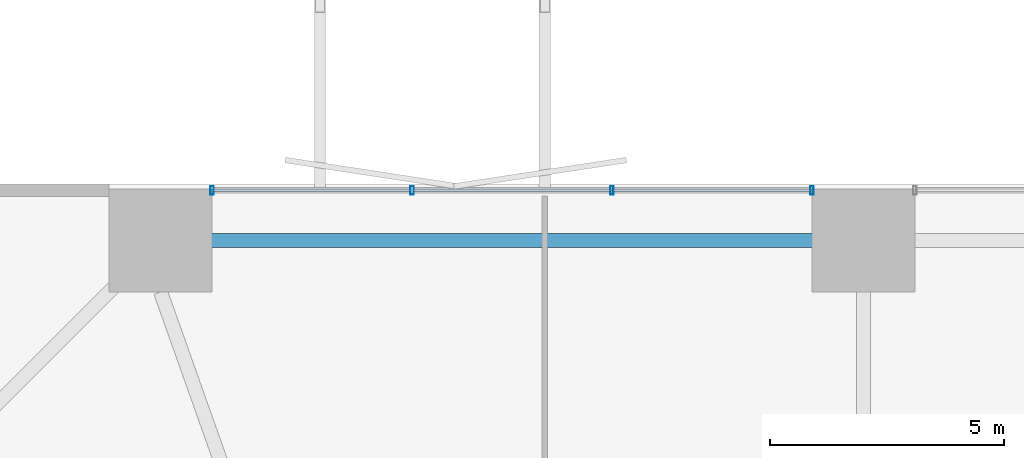
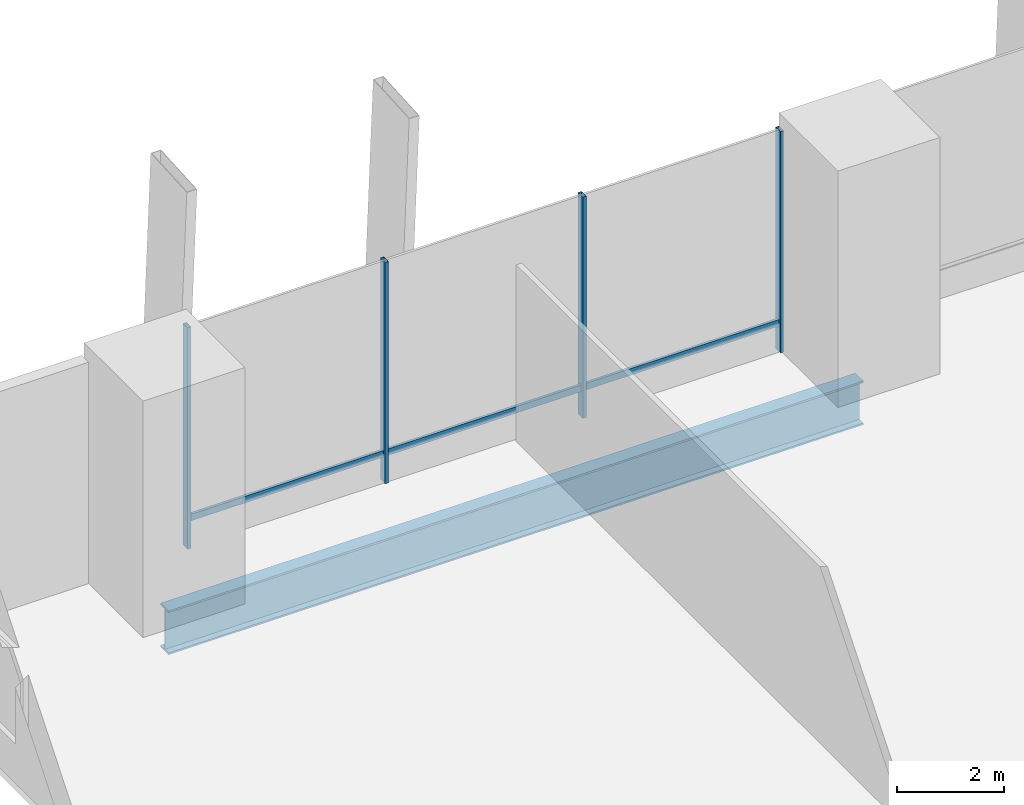
# One storey, part 13 of 24: 7 members, 1 beam, 1 element without a shape of its own.
"""IFC4 building model written with IfcOpenShell, lengths in metres."""

from ifc_helpers import new_model, si_unit, direction, frame, origin, origin_2d, place, context, subcontext, project, spatial, hollow_rectangle, i_section, extrude, material, layer, layer_set, material_profile, profile_set, type_object, element, aggregate, save


model = new_model("IFC4")

# Units and contexts
model_context = context("Model", 3, precision=1e-05, world=origin(), true_north=direction((0.0, 1.0)))
body_context = subcontext(model_context, "Body", "Model", "MODEL_VIEW")
ifc_project = project(units=[si_unit("LENGTHUNIT", "METRE"), si_unit("AREAUNIT", "SQUARE_METRE"), si_unit("VOLUMEUNIT", "CUBIC_METRE"), si_unit("PLANEANGLEUNIT", "RADIAN"), si_unit("MASSUNIT", "GRAM", prefix="KILO")], contexts=[model_context])

# Site, building, storey
site_placement = place(None, origin())
site = spatial("IfcSite", under=ifc_project, at=site_placement, CompositionType="ELEMENT")
building_placement = place(site_placement, origin())
building = spatial("IfcBuilding", under=site, at=building_placement, Name="Belovzor Exchange Tower", CompositionType="ELEMENT")
storey_placement = place(building_placement, frame((0.0, 0.0, 8.39990234375)))
storey = spatial("IfcBuildingStorey", under=building, at=storey_placement, Name="L02", CompositionType="ELEMENT", Elevation=8.39990234375)

# Beam
ifc_material_1 = material(Name="Steel S460", Category="steel")
ifc_material_profile_1 = material_profile(ifc_material_1, i_section(OverallWidth=0.300048828125, OverallDepth=1.0, WebThickness=0.02099609375, FlangeThickness=0.0400390625, at=origin_2d()))
ifc_profile_set_1 = profile_set([ifc_material_profile_1], Name="Steel S460")
beam_type = type_object("IfcBeamType", Name="Podium Exchange Hall Ring Girder HEM 1000", PredefinedType="BEAM", material=ifc_profile_set_1)
beam_placement = place(storey_placement, frame((28.800048828125, 55.800048828125, -0.849853515625), z_axis=(-1.0, 0.0, 0.0), x_axis=(0.0, -1.0, 0.0)))
element("IfcBeam", 1, at=beam_placement, inside=storey, type_object=beam_type, Name="PG-1 Podium Exchange Hall Ring Girder HEM 1000", PredefinedType="BEAM", context=body_context, shape_type="SweptSolid", body=[
    extrude(i_section(OverallWidth=0.300048828125, OverallDepth=1.0, WebThickness=0.02099609375, FlangeThickness=0.0400390625, at=origin_2d()), origin(), (0.0, 0.0, 1.0), 15.0),
])

# Curtain wall, members
ifc_material_2 = material(Name="Anodised Aluminium Framing", Category="aluminium")
ifc_layer = layer(ifc_material_2, 0.219970703125)
ifc_layer_set = layer_set([ifc_layer], Name="Anodised Aluminium Framing")
curtain_wall_type = type_object("IfcCurtainWallType", Name="Podium Clear-Span Exchange Hall Unitised Curtain Wall", PredefinedType="NOTDEFINED", material=ifc_layer_set)
curtain_wall_placement = place(storey_placement, origin())
curtain_wall = element("IfcCurtainWall", 2, at=curtain_wall_placement, inside=storey, type_object=curtain_wall_type, Name="CW1 Podium Clear-Span Exchange Hall Unitised Curtain Wall L02", PredefinedType="NOTDEFINED")
ifc_material_3 = material(Name="Steel S355", Category="steel")
ifc_material_profile_2 = material_profile(ifc_material_3, hollow_rectangle(XDim=0.074951171875, YDim=0.179931640625, WallThickness=0.0048828125, at=origin_2d()))
ifc_profile_set_2 = profile_set([ifc_material_profile_2], Name="Steel S355")
member_type_1 = type_object("IfcMemberType", Name="Thermally Broken Curtain Wall Mullion 180x75", PredefinedType="MULLION", material=ifc_profile_set_2)
member_1_placement = place(storey_placement, frame((14.89990234375, 56.8701171875, 0.0), z_axis=(0.0, 0.0, 1.0), x_axis=(1.0, 0.0, 0.0)))
member_1 = element("IfcMember", 3, at=member_1_placement, type_object=member_type_1, Name="CW-M180 Curtain Wall Mullion 1", PredefinedType="MULLION", context=body_context, shape_type="SweptSolid", body=[
    extrude(hollow_rectangle(XDim=0.074951171875, YDim=0.179931640625, WallThickness=0.0048828125, at=origin_2d()), origin(), (0.0, 0.0, 1.0), 5.050048828125),
])
member_2_placement = place(storey_placement, frame((19.1669921875, 56.8701171875, 0.0), z_axis=(0.0, 0.0, 1.0), x_axis=(1.0, 0.0, 0.0)))
member_2 = element("IfcMember", 4, at=member_2_placement, type_object=member_type_1, Name="CW-M180 Curtain Wall Mullion 2", PredefinedType="MULLION", context=body_context, shape_type="SweptSolid", body=[
    extrude(hollow_rectangle(XDim=0.074951171875, YDim=0.179931640625, WallThickness=0.0048828125, at=origin_2d()), origin(), (0.0, 0.0, 1.0), 5.050048828125),
])
member_3_placement = place(storey_placement, frame((23.43310546875, 56.8701171875, 0.0), z_axis=(0.0, 0.0, 1.0), x_axis=(1.0, 0.0, 0.0)))
member_3 = element("IfcMember", 5, at=member_3_placement, type_object=member_type_1, Name="CW-M180 Curtain Wall Mullion 3", PredefinedType="MULLION", context=body_context, shape_type="SweptSolid", body=[
    extrude(hollow_rectangle(XDim=0.074951171875, YDim=0.179931640625, WallThickness=0.0048828125, at=origin_2d()), origin(), (0.0, 0.0, 1.0), 5.050048828125),
])
member_4_placement = place(storey_placement, frame((27.699951171875, 56.8701171875, 0.0), z_axis=(0.0, 0.0, 1.0), x_axis=(1.0, 0.0, 0.0)))
member_4 = element("IfcMember", 6, at=member_4_placement, type_object=member_type_1, Name="CW-M180 Curtain Wall Mullion 4", PredefinedType="MULLION", context=body_context, shape_type="SweptSolid", body=[
    extrude(hollow_rectangle(XDim=0.074951171875, YDim=0.179931640625, WallThickness=0.0048828125, at=origin_2d()), origin(), (0.0, 0.0, 1.0), 5.050048828125),
])
ifc_material_4 = material(Name="Steel S355", Category="steel")
ifc_material_profile_3 = material_profile(ifc_material_4, hollow_rectangle(XDim=0.06005859375, YDim=0.14990234375, WallThickness=0.00390625, at=origin_2d()))
ifc_profile_set_3 = profile_set([ifc_material_profile_3], Name="Steel S355")
member_type_2 = type_object("IfcMemberType", Name="Thermally Broken Curtain Wall Transom 150x60", PredefinedType="USERDEFINED", material=ifc_profile_set_3)
member_5_placement = place(storey_placement, frame((14.907958984375, 56.8701171875, 0.650146484375), z_axis=(1.0, 0.0, 0.0), x_axis=(0.0, 1.0, 0.0)))
member_5 = element("IfcMember", 7, at=member_5_placement, type_object=member_type_2, Name="CW-T150 Curtain Wall Transom 1", ObjectType="TRANSOM", PredefinedType="USERDEFINED", context=body_context, shape_type="SweptSolid", body=[
    extrude(hollow_rectangle(XDim=0.06005859375, YDim=0.14990234375, WallThickness=0.00390625, at=origin_2d()), origin(), (0.0, 0.0, 1.0), 4.2509765625),
])
member_6_placement = place(storey_placement, frame((19.175048828125, 56.8701171875, 0.650146484375), z_axis=(1.0, 0.0, 0.0), x_axis=(0.0, 1.0, 0.0)))
member_6 = element("IfcMember", 8, at=member_6_placement, type_object=member_type_2, Name="CW-T150 Curtain Wall Transom 2", ObjectType="TRANSOM", PredefinedType="USERDEFINED", context=body_context, shape_type="SweptSolid", body=[
    extrude(hollow_rectangle(XDim=0.06005859375, YDim=0.14990234375, WallThickness=0.00390625, at=origin_2d()), origin(), (0.0, 0.0, 1.0), 4.25),
])
member_7_placement = place(storey_placement, frame((23.44091796875, 56.8701171875, 0.650146484375), z_axis=(1.0, 0.0, 0.0), x_axis=(0.0, 1.0, 0.0)))
member_7 = element("IfcMember", 9, at=member_7_placement, type_object=member_type_2, Name="CW-T150 Curtain Wall Transom 3", ObjectType="TRANSOM", PredefinedType="USERDEFINED", context=body_context, shape_type="SweptSolid", body=[
    extrude(hollow_rectangle(XDim=0.06005859375, YDim=0.14990234375, WallThickness=0.00390625, at=origin_2d()), origin(), (0.0, 0.0, 1.0), 4.2509765625),
])
aggregate(curtain_wall, [member_1, member_2, member_3, member_4, member_5, member_6, member_7])

save(model, "model.ifc")
